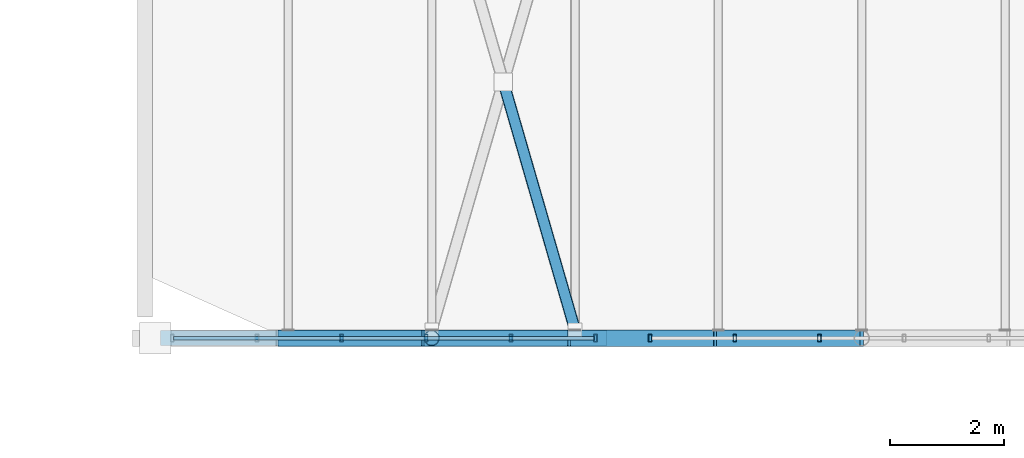
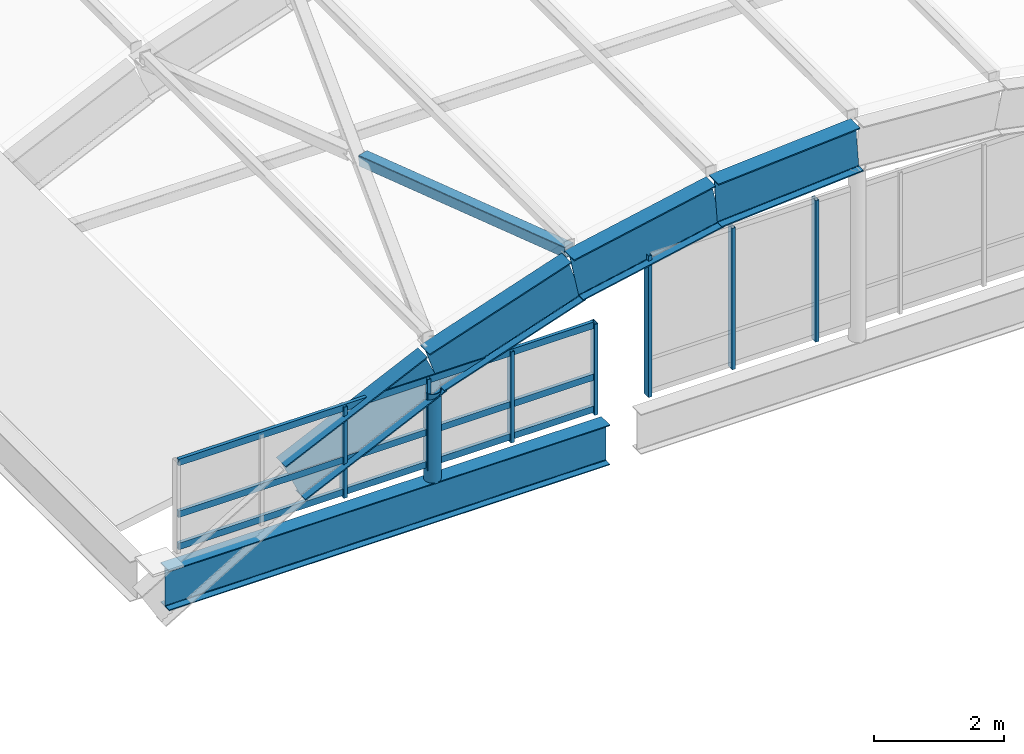
# One storey, part 64 of 107: 12 members, 5 beams, 2 elements without a shape of their own.
"""IFC4 building model written with IfcOpenShell, lengths in metres."""

from ifc_helpers import new_model, si_unit, direction, frame, origin, origin_2d, place, context, subcontext, project, spatial, hollow_rectangle, hollow_circle, i_section, extrude, material, layer, layer_set, material_profile, profile_set, type_object, element, aggregate, save


model = new_model("IFC4")

# Units and contexts
model_context = context("Model", 3, precision=1e-05, world=origin(), true_north=direction((0.0, 1.0)))
body_context = subcontext(model_context, "Body", "Model", "MODEL_VIEW")
ifc_project = project(units=[si_unit("LENGTHUNIT", "METRE"), si_unit("AREAUNIT", "SQUARE_METRE"), si_unit("VOLUMEUNIT", "CUBIC_METRE"), si_unit("PLANEANGLEUNIT", "RADIAN"), si_unit("MASSUNIT", "GRAM", prefix="KILO")], contexts=[model_context])

# Site, building, storey
site_placement = place(None, origin())
site = spatial("IfcSite", under=ifc_project, at=site_placement, CompositionType="ELEMENT")
building_placement = place(site_placement, origin())
building = spatial("IfcBuilding", under=site, at=building_placement, Name="Vireocrest Preparatory School", CompositionType="ELEMENT")
storey_placement = place(building_placement, frame((0.0, 0.0, 13.199951171875)))
storey = spatial("IfcBuildingStorey", under=building, at=storey_placement, Name="L03", CompositionType="ELEMENT", Elevation=13.199951171875)

# Beams
ifc_material_1 = material(Name="Structural steel ASTM A992 Grade 50", Category="steel")
ifc_material_profile_1 = material_profile(ifc_material_1, i_section(OverallWidth=0.2919921875, OverallDepth=0.841064453125, WebThickness=0.0146484375, FlangeThickness=0.021728515625, FilletRadius=0.02001953125, at=origin_2d()), Name="W33X130")
ifc_profile_set_1 = profile_set([ifc_material_profile_1], Name="Structural steel ASTM A992 Grade 50")
beam_type_1 = type_object("IfcBeamType", Name="Assembly Hall Barrel Vault Arch Rib W33X130", PredefinedType="BEAM", material=ifc_profile_set_1)
beam_1_placement = place(storey_placement, frame((145.320068359375, 18.0, 0.6474609375), z_axis=(0.905574801812, 0.0, 0.424186607902), x_axis=(0.0, 1.0, 0.0)))
element("IfcBeam", 1, at=beam_1_placement, inside=storey, type_object=beam_type_1, Name="Assembly Hall Barrel Vault Roof Arch Rib 1 Seg 2", PredefinedType="BEAM", context=body_context, shape_type="SweptSolid", body=[
    extrude(i_section(OverallWidth=0.2919921875, OverallDepth=0.841064453125, WebThickness=0.0146484375, FlangeThickness=0.021728515625, FilletRadius=0.02001953125, at=origin_2d()), origin(), (0.0, 0.0, 1.0), 2.78271484375),
])
beam_2_placement = place(storey_placement, frame((147.840087890625, 18.0, 1.848388671875), z_axis=(0.947982995349, 0.0, 0.318320970924), x_axis=(0.0, 1.0, 0.0)))
element("IfcBeam", 2, at=beam_2_placement, inside=storey, type_object=beam_type_1, Name="Assembly Hall Barrel Vault Roof Arch Rib 1 Seg 3", PredefinedType="BEAM", context=body_context, shape_type="SweptSolid", body=[
    extrude(i_section(OverallWidth=0.2919921875, OverallDepth=0.841064453125, WebThickness=0.0146484375, FlangeThickness=0.021728515625, FilletRadius=0.02001953125, at=origin_2d()), origin(), (0.0, 0.0, 1.0), 2.658203125),
])
beam_3_placement = place(storey_placement, frame((150.360107421875, 18.0, 2.708740234375), z_axis=(0.979995711856, 0.0, 0.199018604016), x_axis=(0.0, 1.0, 0.0)))
element("IfcBeam", 3, at=beam_3_placement, inside=storey, type_object=beam_type_1, Name="Assembly Hall Barrel Vault Roof Arch Rib 1 Seg 4", PredefinedType="BEAM", context=body_context, shape_type="SweptSolid", body=[
    extrude(i_section(OverallWidth=0.2919921875, OverallDepth=0.841064453125, WebThickness=0.0146484375, FlangeThickness=0.021728515625, FilletRadius=0.02001953125, at=origin_2d()), origin(), (0.0, 0.0, 1.0), 2.5712890625),
])
beam_4_placement = place(storey_placement, frame((152.8798828125, 18.0, 3.227783203125), z_axis=(0.997535619159, 0.0, 0.07016187362), x_axis=(0.0, 1.0, 0.0)))
element("IfcBeam", 4, at=beam_4_placement, inside=storey, type_object=beam_type_1, Name="Assembly Hall Barrel Vault Roof Arch Rib 1 Seg 5", PredefinedType="BEAM", context=body_context, shape_type="SweptSolid", body=[
    extrude(i_section(OverallWidth=0.2919921875, OverallDepth=0.841064453125, WebThickness=0.0146484375, FlangeThickness=0.021728515625, FilletRadius=0.02001953125, at=origin_2d()), origin(), (0.0, 0.0, 1.0), 2.5263671875),
])
ifc_material_profile_2 = material_profile(ifc_material_1, i_section(OverallWidth=0.264892578125, OverallDepth=0.7529296875, WebThickness=0.01318359375, FlangeThickness=0.01708984375, FilletRadius=0.01904296875, at=origin_2d()), Name="W30X99")
ifc_profile_set_2 = profile_set([ifc_material_profile_2], Name="Structural steel ASTM A992 Grade 50")
beam_type_2 = type_object("IfcBeamType", Name="Assembly Hall Vault Ring Beam W30X99", PredefinedType="BEAM", material=ifc_profile_set_2)
beam_5_placement = place(storey_placement, frame((143.074951171875, 18.0, -0.596435546875), z_axis=(1.0, 0.0, 0.0), x_axis=(0.0, 1.0, 0.0)))
element("IfcBeam", 5, at=beam_5_placement, inside=storey, type_object=beam_type_2, Name="Assembly Hall Barrel Vault Roof Gable Ring Beam S-1", PredefinedType="BEAM", context=body_context, shape_type="SweptSolid", body=[
    extrude(i_section(OverallWidth=0.264892578125, OverallDepth=0.7529296875, WebThickness=0.01318359375, FlangeThickness=0.01708984375, FilletRadius=0.01904296875, at=origin_2d()), origin(), (0.0, 0.0, 1.0), 7.85009765625),
])

# Curtain wall, members
ifc_material_2 = material(Name="Thermally broken aluminium EN AW-6063-T6", Category="aluminium")
ifc_layer_1 = layer(ifc_material_2, 0.179931640625)
ifc_layer_set_1 = layer_set([ifc_layer_1], Name="Thermally broken aluminium EN AW-6063-T6")
curtain_wall_type_1 = type_object("IfcCurtainWallType", Name="Vault Gable Clerestory 8400x2600", PredefinedType="USERDEFINED", material=ifc_layer_set_1)
curtain_wall_1_placement = place(storey_placement, origin())
curtain_wall_1 = element("IfcCurtainWall", 6, at=curtain_wall_1_placement, inside=storey, type_object=curtain_wall_type_1, Name="Curtain Wall CW13 CW_L03_CW13_1432_0180_132", ObjectType="CURTAIN WALL", PredefinedType="USERDEFINED")
ifc_material_profile_3 = material_profile(ifc_material_2, hollow_rectangle(XDim=0.06005859375, YDim=0.135009765625, WallThickness=0.00390625, at=origin_2d()), Name="ALU 60x135x4")
ifc_profile_set_3 = profile_set([ifc_material_profile_3], Name="Thermally broken aluminium EN AW-6063-T6")
member_type_1 = type_object("IfcMemberType", Name="CW Clerestory Mullion 60x135x4", PredefinedType="MULLION", material=ifc_profile_set_3)
member_1_placement = place(storey_placement, frame((146.256103515625, 18.0, 0.0), z_axis=(0.0, 0.0, 1.0), x_axis=(1.0, 0.0, 0.0)))
member_1 = element("IfcMember", 7, at=member_1_placement, type_object=member_type_1, Name="CW Mullion ML6 CW_L03_CW13_1432_0180_132-3", PredefinedType="MULLION", context=body_context, shape_type="SweptSolid", body=[
    extrude(hollow_rectangle(XDim=0.06005859375, YDim=0.135009765625, WallThickness=0.00390625, at=origin_2d()), origin(), (0.0, 0.0, 1.0), 1.715087890625),
])
member_2_placement = place(storey_placement, frame((147.743896484375, 18.0, 0.0), z_axis=(0.0, 0.0, 1.0), x_axis=(1.0, 0.0, 0.0)))
member_2 = element("IfcMember", 8, at=member_2_placement, type_object=member_type_1, Name="CW Mullion ML6 CW_L03_CW13_1432_0180_132-4", PredefinedType="MULLION", context=body_context, shape_type="SweptSolid", body=[
    extrude(hollow_rectangle(XDim=0.06005859375, YDim=0.135009765625, WallThickness=0.00390625, at=origin_2d()), origin(), (0.0, 0.0, 1.0), 1.715087890625),
])
member_3_placement = place(storey_placement, frame((149.23193359375, 18.0, 0.0), z_axis=(0.0, 0.0, 1.0), x_axis=(1.0, 0.0, 0.0)))
member_3 = element("IfcMember", 9, at=member_3_placement, type_object=member_type_1, Name="CW Mullion ML6 CW_L03_CW13_1432_0180_132-5", PredefinedType="MULLION", context=body_context, shape_type="SweptSolid", body=[
    extrude(hollow_rectangle(XDim=0.06005859375, YDim=0.135009765625, WallThickness=0.00390625, at=origin_2d()), origin(), (0.0, 0.0, 1.0), 1.715087890625),
])
member_4_placement = place(storey_placement, frame((150.719970703125, 18.0, 0.0), z_axis=(0.0, 0.0, 1.0), x_axis=(1.0, 0.0, 0.0)))
member_4 = element("IfcMember", 10, at=member_4_placement, type_object=member_type_1, Name="CW Mullion ML6 CW_L03_CW13_1432_0180_132-6", PredefinedType="MULLION", context=body_context, shape_type="SweptSolid", body=[
    extrude(hollow_rectangle(XDim=0.06005859375, YDim=0.135009765625, WallThickness=0.00390625, at=origin_2d()), origin(), (0.0, 0.0, 1.0), 1.715087890625),
])

ifc_layer_2 = layer(ifc_material_2, 0.179931640625)
ifc_layer_set_2 = layer_set([ifc_layer_2], Name="Thermally broken aluminium EN AW-6063-T6")
curtain_wall_type_2 = type_object("IfcCurtainWallType", Name="Vault Centre Gable Clerestory 8400x3800", PredefinedType="USERDEFINED", material=ifc_layer_set_2)
curtain_wall_2_placement = place(storey_placement, origin())
curtain_wall_2 = element("IfcCurtainWall", 11, at=curtain_wall_2_placement, inside=storey, type_object=curtain_wall_type_2, Name="Curtain Wall CW14 CW_L03_CW14_1516_0180_132", ObjectType="CURTAIN WALL", PredefinedType="USERDEFINED")
member_5_placement = place(storey_placement, frame((151.679931640625, 18.0, 0.0), z_axis=(0.0, 0.0, 1.0), x_axis=(1.0, 0.0, 0.0)))
member_5 = element("IfcMember", 12, at=member_5_placement, type_object=member_type_1, Name="CW Mullion ML6 CW_L03_CW14_1516_0180_132-1", PredefinedType="MULLION", context=body_context, shape_type="SweptSolid", body=[
    extrude(hollow_rectangle(XDim=0.06005859375, YDim=0.135009765625, WallThickness=0.00390625, at=origin_2d()), origin(), (0.0, 0.0, 1.0), 2.6650390625),
])
member_6_placement = place(storey_placement, frame((153.16796875, 18.0, 0.0), z_axis=(0.0, 0.0, 1.0), x_axis=(1.0, 0.0, 0.0)))
member_6 = element("IfcMember", 13, at=member_6_placement, type_object=member_type_1, Name="CW Mullion ML6 CW_L03_CW14_1516_0180_132-2", PredefinedType="MULLION", context=body_context, shape_type="SweptSolid", body=[
    extrude(hollow_rectangle(XDim=0.06005859375, YDim=0.135009765625, WallThickness=0.00390625, at=origin_2d()), origin(), (0.0, 0.0, 1.0), 2.6650390625),
])
member_7_placement = place(storey_placement, frame((154.656005859375, 18.0, 0.0), z_axis=(0.0, 0.0, 1.0), x_axis=(1.0, 0.0, 0.0)))
member_7 = element("IfcMember", 14, at=member_7_placement, type_object=member_type_1, Name="CW Mullion ML6 CW_L03_CW14_1516_0180_132-3", PredefinedType="MULLION", context=body_context, shape_type="SweptSolid", body=[
    extrude(hollow_rectangle(XDim=0.06005859375, YDim=0.135009765625, WallThickness=0.00390625, at=origin_2d()), origin(), (0.0, 0.0, 1.0), 2.6650390625),
])
aggregate(curtain_wall_2, [member_5, member_6, member_7])

# Member
ifc_material_profile_4 = material_profile(ifc_material_2, hollow_rectangle(XDim=0.06005859375, YDim=0.125, WallThickness=0.00390625, at=origin_2d()), Name="ALU 60x125x4")
ifc_profile_set_4 = profile_set([ifc_material_profile_4], Name="Thermally broken aluminium EN AW-6063-T6")
member_type_2 = type_object("IfcMemberType", Name="CW Clerestory Transom 60x125x4", PredefinedType="USERDEFINED", material=ifc_profile_set_4)
member_8_placement = place(storey_placement, frame((143.304931640625, 18.0, 0.094970703125), z_axis=(1.0, 0.0, 0.0), x_axis=(0.0, 1.0, 0.0)))
member_8 = element("IfcMember", 15, at=member_8_placement, type_object=member_type_2, Name="CW Transom TR6 CW_L03_CW13_1432_0180_132-1", ObjectType="TRANSOM", PredefinedType="USERDEFINED", context=body_context, shape_type="SweptSolid", body=[
    extrude(hollow_rectangle(XDim=0.06005859375, YDim=0.125, WallThickness=0.00390625, at=origin_2d()), origin(), (0.0, 0.0, 1.0), 7.39013671875),
])

member_9_placement = place(storey_placement, frame((143.304931640625, 18.0, 0.699951171875), z_axis=(1.0, 0.0, 0.0), x_axis=(0.0, 1.0, 0.0)))
member_9 = element("IfcMember", 16, at=member_9_placement, type_object=member_type_2, Name="CW Transom TR6 CW_L03_CW13_1432_0180_132-2", ObjectType="TRANSOM", PredefinedType="USERDEFINED", context=body_context, shape_type="SweptSolid", body=[
    extrude(hollow_rectangle(XDim=0.06005859375, YDim=0.125, WallThickness=0.00390625, at=origin_2d()), origin(), (0.0, 0.0, 1.0), 7.39013671875),
])

member_10_placement = place(storey_placement, frame((143.304931640625, 18.0, 1.675048828125), z_axis=(1.0, 0.0, 0.0), x_axis=(0.0, 1.0, 0.0)))
member_10 = element("IfcMember", 17, at=member_10_placement, type_object=member_type_2, Name="CW Transom TR6 CW_L03_CW13_1432_0180_132-3", ObjectType="TRANSOM", PredefinedType="USERDEFINED", context=body_context, shape_type="SweptSolid", body=[
    extrude(hollow_rectangle(XDim=0.06005859375, YDim=0.125, WallThickness=0.00390625, at=origin_2d()), origin(), (0.0, 0.0, 1.0), 7.39013671875),
])

aggregate(curtain_wall_1, [member_1, member_2, member_3, member_4, member_8, member_9, member_10])

# Members
ifc_material_3 = material(Name="Structural steel ASTM A500 Grade C", Category="steel")
ifc_material_profile_5 = material_profile(ifc_material_3, hollow_rectangle(XDim=0.203125, YDim=0.203125, WallThickness=0.0087890625, InnerFilletRadius=0.0087890625, OuterFilletRadius=0.017822265625, at=origin_2d()), Name="HSS8X8X3/8")
ifc_profile_set_5 = profile_set([ifc_material_profile_5], Name="Structural steel ASTM A500 Grade C")
member_type_3 = type_object("IfcMemberType", Name="Vault Roof Wind X-Brace HSS8X8X3/8", PredefinedType="BRACE", material=ifc_profile_set_5)
member_11_placement = place(storey_placement, frame((149.135986328125, 22.375732421875, 2.69091796875), z_axis=(0.27682452738, -0.956518734913, 0.091869966805), x_axis=(0.960581020106, 0.278000186713, 0.0)))
element("IfcMember", 18, at=member_11_placement, inside=storey, type_object=member_type_3, Name="Assembly Hall Barrel Vault Roof Split Roof X-Brace 1-3-2", PredefinedType="BRACE", context=body_context, shape_type="SweptSolid", body=[
    extrude(hollow_rectangle(XDim=0.203125, YDim=0.203125, WallThickness=0.0087890625, InnerFilletRadius=0.0087890625, OuterFilletRadius=0.017822265625, at=origin_2d()), origin(), (0.0, 0.0, 1.0), 4.422119140625),
])
ifc_material_4 = material(Name="Painted white steel ASTM A500 Grade C", Category="steel")
ifc_material_profile_6 = material_profile(ifc_material_4, hollow_circle(Radius=0.136474609375, WallThickness=0.0126953125, at=origin_2d()), Name="HSS10.750X0.500")
ifc_profile_set_6 = profile_set([ifc_material_profile_6], Name="Painted white steel ASTM A500 Grade C")
member_type_4 = type_object("IfcMemberType", Name="White Steel Clerestory Strut HSS10.750X0.500", PredefinedType="USERDEFINED", material=ifc_profile_set_6)
member_12_placement = place(storey_placement, frame((147.840087890625, 18.0, -0.239990234375), z_axis=(0.0, 0.0, 1.0), x_axis=(1.0, 0.0, 0.0)))
element("IfcMember", 19, at=member_12_placement, inside=storey, type_object=member_type_4, Name="Assembly Hall Barrel Vault Roof Gable Mullion Post 1-2", ObjectType="STRUT", PredefinedType="USERDEFINED", context=body_context, shape_type="SweptSolid", body=[
    extrude(hollow_circle(Radius=0.136474609375, WallThickness=0.0126953125, at=origin_2d()), origin(), (0.0, 0.0, 1.0), 1.68798828125),
])

save(model, "model.ifc")
